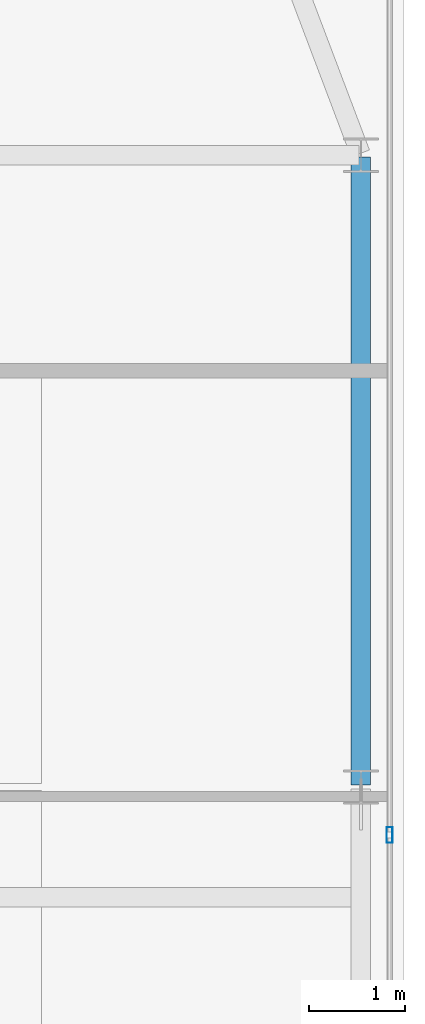
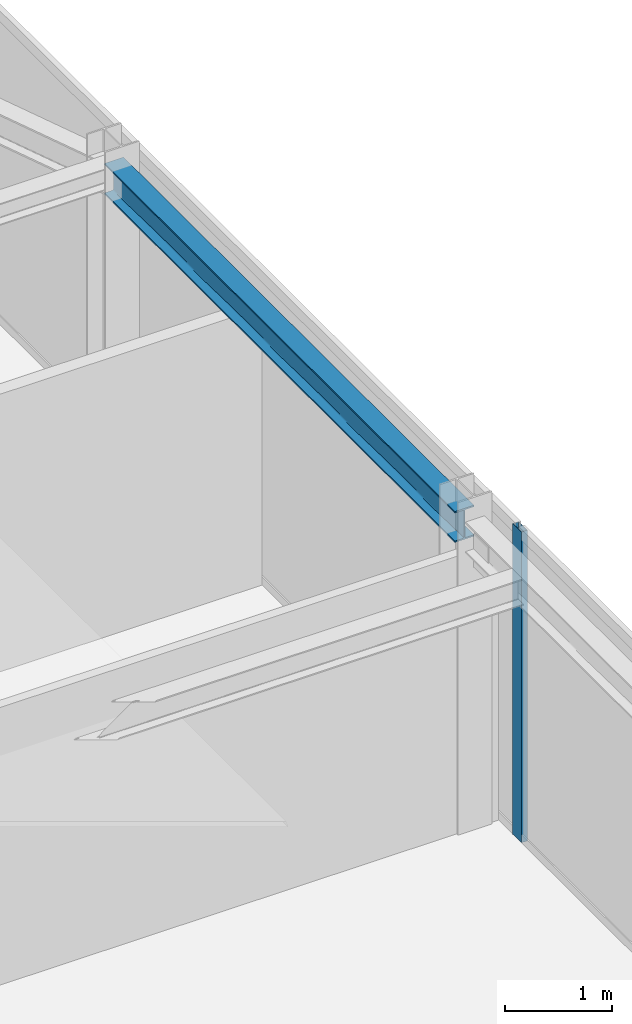
# One storey, part 19 of 30: 1 beam, 1 member, 1 element without a shape of its own.
"""IFC4 building model written with IfcOpenShell, lengths in metres."""

from ifc_helpers import new_model, si_unit, direction, frame, origin, origin_2d, place, context, subcontext, project, spatial, hollow_rectangle, i_section, extrude, source, transform, mapped, material, layer, layer_set, material_profile, profile_set, type_object, type_shapes, element, aggregate, save


model = new_model("IFC4")

# Units and contexts
model_context = context("Model", 3, precision=1e-05, world=origin(), true_north=direction((0.0, 1.0)))
body_context = subcontext(model_context, "Body", "Model", "MODEL_VIEW")
ifc_project = project(units=[si_unit("LENGTHUNIT", "METRE"), si_unit("AREAUNIT", "SQUARE_METRE"), si_unit("VOLUMEUNIT", "CUBIC_METRE"), si_unit("PLANEANGLEUNIT", "RADIAN"), si_unit("MASSUNIT", "GRAM", prefix="KILO")], contexts=[model_context])

# Site, building, storey
site_placement = place(None, origin())
site = spatial("IfcSite", under=ifc_project, at=site_placement, CompositionType="ELEMENT")
building_placement = place(site_placement, origin())
building = spatial("IfcBuilding", under=site, at=building_placement, Name="Varnel Quay Broadcast Tower", CompositionType="ELEMENT")
storey_placement = place(building_placement, frame((0.0, 0.0, 211.199951171875)))
storey = spatial("IfcBuildingStorey", under=building, at=storey_placement, Name="L52", CompositionType="ELEMENT", Elevation=211.199951171875)

# Beam
ifc_material_1 = material(Name="Structural Steel CSA G40.21 350W", Category="steel")
ifc_material_profile_1 = material_profile(ifc_material_1, i_section(OverallWidth=0.205078125, OverallDepth=0.35400390625, WebThickness=0.009521484375, FlangeThickness=0.016845703125, FilletRadius=0.012939453125, at=origin_2d()), Name="W360X79")
ifc_profile_set_1 = profile_set([ifc_material_profile_1], Name="Structural Steel CSA G40.21 350W")
beam_type = type_object("IfcBeamType", Name="Beam_W360X79", PredefinedType="SPANDREL", material=ifc_profile_set_1)
shared_shape_1 = source(origin(), body_context, "Body", "SweptSolid", [
    extrude(i_section(OverallWidth=0.205078125, OverallDepth=0.35400390625, WebThickness=0.009521484375, FlangeThickness=0.016845703125, FilletRadius=0.012939453125, at=origin_2d()), origin(), (0.0, 0.0, 1.0), 6.56005859375),
])
type_shapes(beam_type, [shared_shape_1])
beam_placement = place(storey_placement, frame((58.050048828125, 29.02001953125, 3.373046875), z_axis=(0.0, 1.0, 0.0), x_axis=(-1.0, 0.0, 0.0)))
element("IfcBeam", 1, at=beam_placement, inside=storey, type_object=beam_type, Name="L52 East Spandrel TC-E2-TC-E3", PredefinedType="SPANDREL", context=body_context, shape_type="MappedRepresentation", body=[
    mapped(shared_shape_1, transform((0.0, 0.0, 0.0), x_axis=(1.0, 0.0, 0.0), y_axis=(0.0, 1.0, 0.0), z_axis=(0.0, 0.0, 1.0), scale=1.0)),
])

# Curtain wall, member
ifc_material_2 = material(Name="Anodised Bronze Aluminium 6063-T6", Category="aluminium")
ifc_layer = layer(ifc_material_2, 0.18994140625, Name="Anodised Bronze Aluminium 6063-T6")
ifc_layer_set = layer_set([ifc_layer], Name="Anodised Bronze Aluminium 6063-T6")
curtain_wall_type = type_object("IfcCurtainWallType", Name="CW_UpperTower", PredefinedType="NOTDEFINED", material=ifc_layer_set)
curtain_wall_placement = place(storey_placement, origin())
curtain_wall = element("IfcCurtainWall", 2, at=curtain_wall_placement, inside=storey, type_object=curtain_wall_type, Name="L52 East Unitised Curtain Wall", PredefinedType="NOTDEFINED")
ifc_material_profile_2 = material_profile(ifc_material_2, hollow_rectangle(XDim=0.06494140625, YDim=0.1650390625, WallThickness=0.00341796875, at=origin_2d()), Name="ALU65X165X3.5")
ifc_profile_set_2 = profile_set([ifc_material_profile_2], Name="Anodised Bronze Aluminium 6063-T6")
member_type = type_object("IfcMemberType", Name="Mull_CWS-03", PredefinedType="MULLION", material=ifc_profile_set_2)
shared_shape_2 = source(origin(), body_context, "Body", "SweptSolid", [
    extrude(hollow_rectangle(XDim=0.06494140625, YDim=0.1650390625, WallThickness=0.00341796875, at=origin_2d()), origin(), (0.0, 0.0, 1.0), 3.550048828125),
])
type_shapes(member_type, [shared_shape_2])
member_placement = place(storey_placement, frame((58.35009765625, 28.5, 0.0), z_axis=(0.0, 0.0, 1.0), x_axis=(-1.0, 0.0, 0.0)))
member = element("IfcMember", 3, at=member_placement, type_object=member_type, Name="CWS-03 mullion 2", PredefinedType="MULLION", context=body_context, shape_type="MappedRepresentation", body=[
    mapped(shared_shape_2, transform((0.0, 0.0, 0.0), x_axis=(1.0, 0.0, 0.0), y_axis=(0.0, 1.0, 0.0), z_axis=(0.0, 0.0, 1.0), scale=1.0)),
])
aggregate(curtain_wall, [member])

save(model, "model.ifc")
